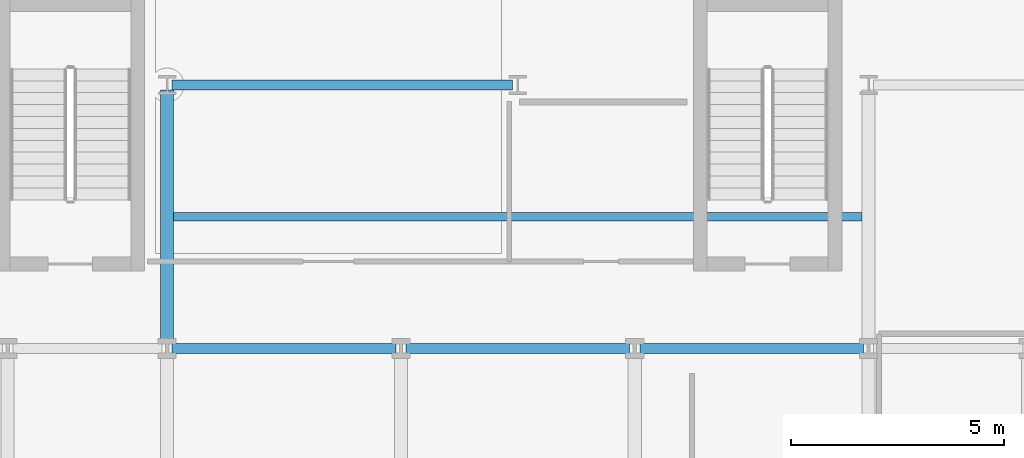
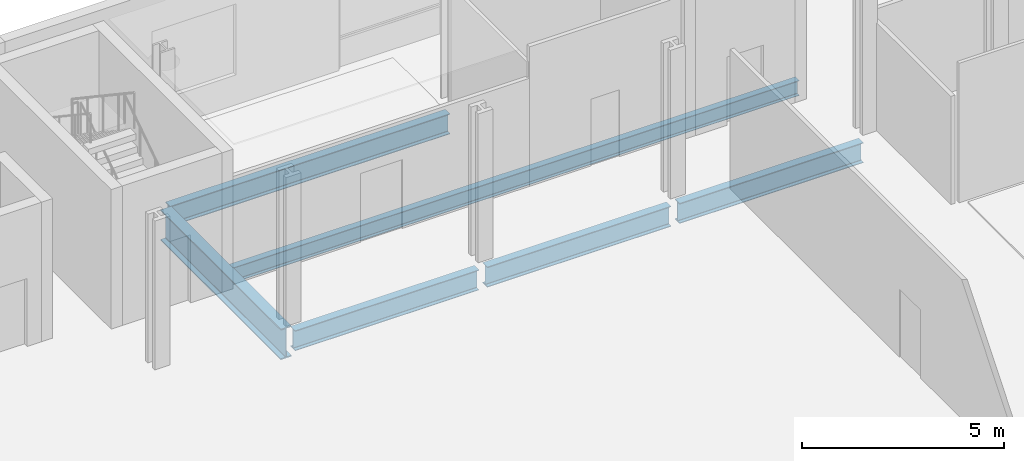
# One storey, part 8 of 25: 6 beams.
"""IFC4 building model written with IfcOpenShell, lengths in metres."""

import ifcopenshell
import ifcopenshell.guid

model = None  # the IFC model being written
_history = None  # IfcOwnerHistory: only IFC2X3 demands one
_inside = {}  # id of a spatial element -> (the spatial element, [elements in it])
_under = {}  # id of a project, library or spatial element -> (it, [spatial elements below it])
_declared = {}  # id of a project -> (the project, [libraries it declares])
_typed = {}  # id of a type object -> (the type object, [elements of that type])
_made_of = {}  # id of a material, layer set ... -> (it, [elements and type objects made of it])


def new_model(schema):
    """Start an empty IFC model of exactly this schema.

    Asked for "IFC4X3", IfcOpenShell would pick the latest addendum, in which some entities
    have other attributes; the version numbers below select the first issue.
    IFC2X3 requires an IfcOwnerHistory on every rooted entity: one is made here for all.
    """
    global model, _history
    if schema == "IFC4X3":
        model = ifcopenshell.file(schema_version=(4, 3, 0, 0))
    else:
        model = ifcopenshell.file(schema=schema)
    _inside.clear()
    _under.clear()
    _declared.clear()
    _typed.clear()
    _made_of.clear()
    _history = None
    if model.schema == "IFC2X3":
        org = make("IfcOrganization", Name="unknown")
        user = make(
            "IfcPersonAndOrganization",
            ThePerson=make("IfcPerson", FamilyName="unknown"),
            TheOrganization=org,
        )
        app = make(
            "IfcApplication",
            ApplicationDeveloper=org,
            Version="unknown",
            ApplicationFullName="unknown",
            ApplicationIdentifier="unknown",
        )
        _history = make(
            "IfcOwnerHistory",
            OwningUser=user,
            OwningApplication=app,
            ChangeAction="ADDED",
            CreationDate=0,
        )
    return model


def make(cls, **values):
    """One entity of the class cls with the attributes given. An attribute that is None is left unset."""
    return model.create_entity(
        cls, **{name: value for name, value in values.items() if value is not None}
    )


def rooted(cls, **values):
    """An entity with a GlobalId (a new one), such as an element, a storey or a relation."""
    return make(cls, GlobalId=ifcopenshell.guid.new(), OwnerHistory=_history, **values)


def si_unit(unit_type, name, prefix=None):
    """IfcSIUnit, for example si_unit("LENGTHUNIT", "METRE", prefix="MILLI")."""
    return make("IfcSIUnit", UnitType=unit_type, Prefix=prefix, Name=name)


def assignment(units):
    """IfcUnitAssignment: the units of a project."""
    return None if units is None else make("IfcUnitAssignment", Units=units)


def point(xyz):
    """IfcCartesianPoint."""
    return None if xyz is None else make("IfcCartesianPoint", Coordinates=xyz)


def direction(xyz):
    """IfcDirection."""
    return None if xyz is None else make("IfcDirection", DirectionRatios=xyz)


def frame(location, z_axis=None, x_axis=None):
    """IfcAxis2Placement3D, a coordinate frame: its origin and axes. An axis left out is left unset."""
    return make(
        "IfcAxis2Placement3D",
        Location=point(location),
        Axis=direction(z_axis),
        RefDirection=direction(x_axis),
    )


def frame_2d(location, x_axis=None):
    """IfcAxis2Placement2D, a coordinate frame in the plane: its origin and x axis."""
    return make(
        "IfcAxis2Placement2D", Location=point(location), RefDirection=direction(x_axis)
    )


def origin():
    """The frame at (0, 0, 0) with its axes left unset."""
    return frame((0.0, 0.0, 0.0))


def origin_2d():
    """The frame at (0, 0) in the plane with its x axis left unset."""
    return frame_2d((0.0, 0.0))


def place(relative_to, where):
    """IfcLocalPlacement: puts the frame where relative to a parent placement (None: the world)."""
    return make(
        "IfcLocalPlacement", PlacementRelTo=relative_to, RelativePlacement=where
    )


def context(
    kind, dimensions, precision=None, world=None, true_north=None, identifier=None
):
    """IfcGeometricRepresentationContext, for example the 3D "Model" context."""
    return make(
        "IfcGeometricRepresentationContext",
        ContextIdentifier=identifier,
        ContextType=kind,
        CoordinateSpaceDimension=dimensions,
        Precision=precision,
        WorldCoordinateSystem=world,
        TrueNorth=true_north,
    )


def subcontext(parent, identifier, kind, view, scale=None):
    """IfcGeometricRepresentationSubContext, for example "Body" below "Model"."""
    return make(
        "IfcGeometricRepresentationSubContext",
        ContextIdentifier=identifier,
        ContextType=kind,
        ParentContext=parent,
        TargetScale=scale,
        TargetView=view,
    )


def project(units=None, contexts=None):
    """IfcProject with its units and contexts."""
    return rooted(
        "IfcProject",
        Name="project",
        RepresentationContexts=contexts,
        UnitsInContext=assignment(units),
    )


def spatial(cls, under=None, at=None, **own):
    """A site, building, storey or space (cls), placed at a placement, below another one or the project."""
    s = rooted(cls, ObjectPlacement=at, **own)
    if under is not None:
        _under.setdefault(under.id(), (under, []))[1].append(s)
    return s


def profile(cls, at=None, kind="AREA", **sizes):
    """A parametric profile (cls). Its sizes go by their IFC names, for example OverallWidth=200.0."""
    return make(cls, ProfileType=kind, Position=at, **sizes)


def i_section(**sizes):
    """IfcIShapeProfileDef."""
    return profile("IfcIShapeProfileDef", **sizes)


def extrude(swept, where, along, depth):
    """IfcExtrudedAreaSolid: the profile swept, set in the frame where, extruded along a direction by depth."""
    return make(
        "IfcExtrudedAreaSolid",
        SweptArea=swept,
        Position=where,
        ExtrudedDirection=direction(along),
        Depth=depth,
    )


def shape(context_of_items, identifier, shape_type, items):
    """IfcShapeRepresentation: the items that make up one representation, for example the "Body"."""
    return make(
        "IfcShapeRepresentation",
        ContextOfItems=context_of_items,
        RepresentationIdentifier=identifier,
        RepresentationType=shape_type,
        Items=items,
    )


def material(Name=None, Category=None):
    """IfcMaterial."""
    return make("IfcMaterial", Name=Name, Category=Category)


def material_profile(
    of_material, cross_section, Name=None, Category=None, Priority=None
):
    """IfcMaterialProfile: a cross section and its material."""
    return make(
        "IfcMaterialProfile",
        Name=Name,
        Material=of_material,
        Profile=cross_section,
        Priority=Priority,
        Category=Category,
    )


def profile_set(profiles, Name=None, composite=None):
    """IfcMaterialProfileSet."""
    return make(
        "IfcMaterialProfileSet",
        Name=Name,
        MaterialProfiles=profiles,
        CompositeProfile=composite,
    )


def made_of(thing, what):
    """Note that an element or type object is made of a material, layer set ...; save() writes the relation."""
    if what is not None:
        _made_of.setdefault(what.id(), (what, []))[1].append(thing)
    return thing


def type_object(cls, material=None, **own):
    """A type object (cls), such as IfcWallType, which elements share."""
    return made_of(rooted(cls, **own), material)


def element(
    cls,
    number,
    at=None,
    inside=None,
    cuts=None,
    type_object=None,
    material=None,
    context=None,
    identifier="Body",
    shape_type=None,
    held_by="IfcProductDefinitionShape",
    body=None,
    shapes=None,
    **own,
):
    """One element of the class cls, such as IfcWall. Its Tag is "e" and its number.

    at: its placement. inside: the storey or other place that contains it. cuts: it is an
    opening in that element (IfcRelVoidsElement). A single representation is given by context,
    identifier, shape_type and body (its items); several are given by shapes. held_by: the class
    of the entity that holds the representations. save() writes the other relations.
    """
    e = rooted(cls, Tag="e%d" % number, ObjectPlacement=at, **own)
    if body is not None:
        shapes = [shape(context, identifier, shape_type, body)]
    if shapes is not None:
        e.Representation = make(held_by, Representations=shapes)
    if inside is not None:
        _inside.setdefault(inside.id(), (inside, []))[1].append(e)
    if cuts is not None:
        rooted(
            "IfcRelVoidsElement", RelatingBuildingElement=cuts, RelatedOpeningElement=e
        )
    if type_object is not None:
        _typed.setdefault(type_object.id(), (type_object, []))[1].append(e)
    return made_of(e, material)


def aggregate(whole, parts):
    """IfcRelAggregates: a whole, such as a stair, and the parts it consists of."""
    return rooted("IfcRelAggregates", RelatingObject=whole, RelatedObjects=parts)


def save(model, path):
    """Write the relations noted so far, then the file.

    IfcRelAggregates (storeys below a building ...), IfcRelContainedInSpatialStructure (elements
    in a storey), IfcRelDefinesByType, IfcRelAssociatesMaterial and IfcRelDeclares: one each for
    every whole, place, type object, material and project.
    """
    for whole, parts in _under.values():
        aggregate(whole, parts)
    for where, things in _inside.values():
        rooted(
            "IfcRelContainedInSpatialStructure",
            RelatedElements=things,
            RelatingStructure=where,
        )
    for kind, things in _typed.values():
        rooted("IfcRelDefinesByType", RelatedObjects=things, RelatingType=kind)
    for what, things in _made_of.values():
        rooted("IfcRelAssociatesMaterial", RelatedObjects=things, RelatingMaterial=what)
    for by, libraries in _declared.values():
        rooted("IfcRelDeclares", RelatingContext=by, RelatedDefinitions=libraries)
    model.write(path)


model = new_model("IFC4")

# Units and contexts
model_context = context("Model", 3, precision=1e-05, world=origin(), true_north=direction((0.0, 1.0)))
body_context = subcontext(model_context, "Body", "Model", "MODEL_VIEW")
ifc_project = project(units=[si_unit("LENGTHUNIT", "METRE"), si_unit("AREAUNIT", "SQUARE_METRE"), si_unit("VOLUMEUNIT", "CUBIC_METRE"), si_unit("PLANEANGLEUNIT", "RADIAN"), si_unit("MASSUNIT", "GRAM", prefix="KILO")], contexts=[model_context])

# Site, building, storey
site_placement = place(None, origin())
site = spatial("IfcSite", under=ifc_project, at=site_placement, CompositionType="ELEMENT")
building_placement = place(site_placement, origin())
building = spatial("IfcBuilding", under=site, at=building_placement, Name="Brevholm Reach", CompositionType="ELEMENT")
storey_placement = place(building_placement, frame((0.0, 0.0, 4.5)))
storey = spatial("IfcBuildingStorey", under=building, at=storey_placement, Name="L01", CompositionType="ELEMENT", Elevation=4.5)

# Beams
ifc_material_1 = material(Name="Structural Steel S355J2", Category="steel")
ifc_material_profile_1 = material_profile(ifc_material_1, i_section(OverallWidth=0.1904296875, OverallDepth=0.45703125, WebThickness=0.009033203125, FlangeThickness=0.014404296875, FilletRadius=0.01025390625, at=origin_2d()), Name="UKB 457x191x74")
ifc_profile_set_1 = profile_set([ifc_material_profile_1], Name="Structural Steel S355J2")
beam_type_1 = type_object("IfcBeamType", Name="BM-B457", PredefinedType="BEAM", material=ifc_profile_set_1)
beam_1_placement = place(storey_placement, frame((21.90380859375, 34.10009765625, -0.548583984375), z_axis=(1.0, 0.0, 0.0), x_axis=(0.0, 1.0, 0.0)))
element("IfcBeam", 1, at=beam_1_placement, inside=storey, type_object=beam_type_1, Name="L01 Composite Secondary Floor Beam", PredefinedType="BEAM", context=body_context, shape_type="SweptSolid", body=[
    extrude(i_section(OverallWidth=0.1904296875, OverallDepth=0.45703125, WebThickness=0.009033203125, FlangeThickness=0.014404296875, FilletRadius=0.01025390625, at=origin_2d()), origin(), (0.0, 0.0, 1.0), 16.1923828125),
])
ifc_material_2 = material(Name="Structural Steel S355J2", Category="steel")
ifc_material_profile_2 = material_profile(ifc_material_2, i_section(OverallWidth=0.22900390625, OverallDepth=0.6123046875, WebThickness=0.011962890625, FlangeThickness=0.01953125, FilletRadius=0.0126953125, at=origin_2d()), Name="UKB 610x229x125")
ifc_profile_set_2 = profile_set([ifc_material_profile_2], Name="Structural Steel S355J2")
beam_type_2 = type_object("IfcBeamType", Name="BM-SP610", PredefinedType="SPANDREL", material=ifc_profile_set_2)
for number, where, z_axis, x_axis, name in (
    (2, (21.8701171875, 31.0, -0.626220703125), (1.0, 0.0, 0.0), (0.0, 1.0, 0.0), "L01 SP-01 Framing Beam"),
    (3, (27.3701171875, 31.0, -0.626220703125), (1.0, 0.0, 0.0), (0.0, 1.0, 0.0), "L01 SP-01 Framing Beam"),
    (4, (32.8701171875, 31.0, -0.626220703125), (1.0, 0.0, 0.0), (0.0, 1.0, 0.0), "L01 SP-01 Framing Beam"),
):
    element("IfcBeam", number, at=place(storey_placement, frame(where, z_axis=z_axis, x_axis=x_axis)), inside=storey, type_object=beam_type_2, Name=name, PredefinedType="SPANDREL", context=body_context, shape_type="SweptSolid", body=[
        extrude(i_section(OverallWidth=0.22900390625, OverallDepth=0.6123046875, WebThickness=0.011962890625, FlangeThickness=0.01953125, FilletRadius=0.0126953125, at=origin_2d()), origin(), (0.0, 0.0, 1.0), 5.259765625),
    ])
beam_2_placement = place(storey_placement, frame((21.8701171875, 37.199951171875, -0.626220703125), z_axis=(1.0, 0.0, 0.0), x_axis=(0.0, 1.0, 0.0)))
element("IfcBeam", 5, at=beam_2_placement, inside=storey, type_object=beam_type_2, Name="L01 SP-01 Framing Beam", PredefinedType="SPANDREL", context=body_context, shape_type="SweptSolid", body=[
    extrude(i_section(OverallWidth=0.22900390625, OverallDepth=0.6123046875, WebThickness=0.011962890625, FlangeThickness=0.01953125, FilletRadius=0.0126953125, at=origin_2d()), origin(), (0.0, 0.0, 1.0), 8.009765625),
])
ifc_material_3 = material(Name="Structural Steel S460ML", Category="steel")
ifc_material_profile_3 = material_profile(ifc_material_3, i_section(OverallWidth=0.3076171875, OverallDepth=0.926513671875, WebThickness=0.01953125, FlangeThickness=0.031982421875, FilletRadius=0.01904296875, at=origin_2d()), Name="UKB 914x305x289")
ifc_profile_set_3 = profile_set([ifc_material_profile_3], Name="Structural Steel S460ML")
beam_type_3 = type_object("IfcBeamType", Name="BM-UKB914B", PredefinedType="USERDEFINED", material=ifc_profile_set_3)
beam_3_placement = place(storey_placement, frame((21.75, 31.1201171875, -0.783203125), z_axis=(0.0, 1.0, 0.0), x_axis=(-1.0, 0.0, 0.0)))
element("IfcBeam", 6, at=beam_3_placement, inside=storey, type_object=beam_type_3, Name="L01 G-02B Framing Beam", ObjectType="GIRDER", PredefinedType="USERDEFINED", context=body_context, shape_type="SweptSolid", body=[
    extrude(i_section(OverallWidth=0.3076171875, OverallDepth=0.926513671875, WebThickness=0.01953125, FlangeThickness=0.031982421875, FilletRadius=0.01904296875, at=origin_2d()), origin(), (0.0, 0.0, 1.0), 5.9599609375),
])

save(model, "model.ifc")
